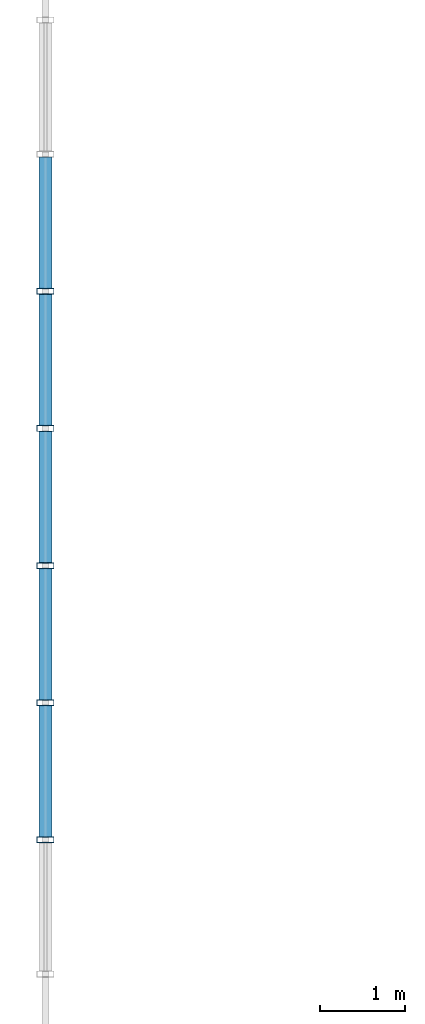
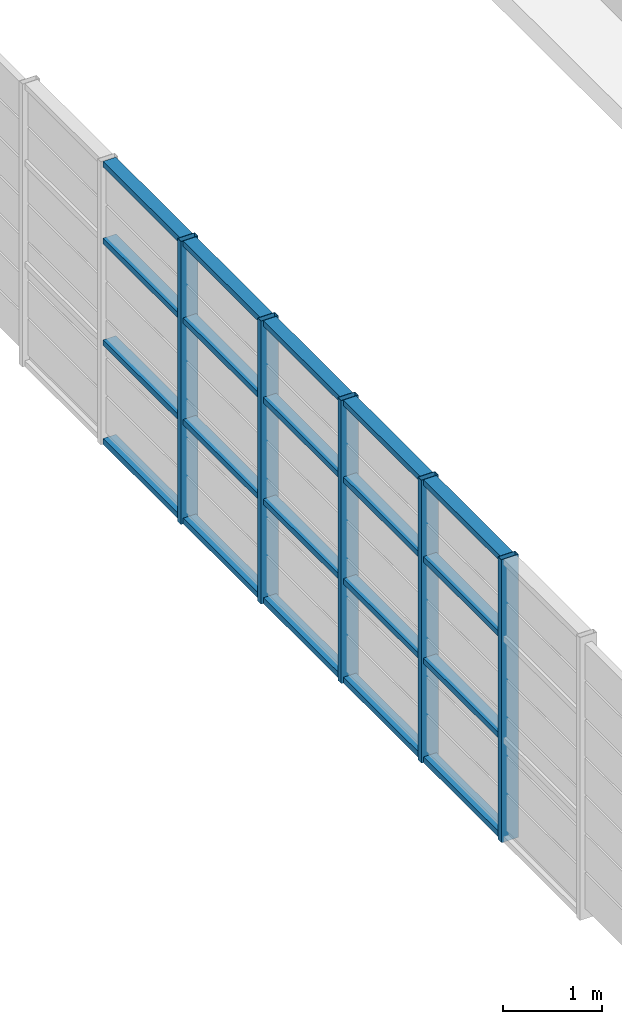
# One storey, part 7 of 21: 25 members, 1 element without a shape of its own.
"""IFC4 building model written with IfcOpenShell, lengths in metres."""

from ifc_helpers import new_model, si_unit, direction, frame, origin, origin_2d, place, context, subcontext, project, spatial, hollow_rectangle, extrude, source, transform, mapped, material, layer, layer_set, material_profile, profile_set, type_object, element, aggregate, save


model = new_model("IFC4")

# Units and contexts
model_context = context("Model", 3, precision=1e-05, world=origin(), true_north=direction((0.0, 1.0)))
body_context = subcontext(model_context, "Body", "Model", "MODEL_VIEW")
ifc_project = project(units=[si_unit("LENGTHUNIT", "METRE"), si_unit("AREAUNIT", "SQUARE_METRE"), si_unit("VOLUMEUNIT", "CUBIC_METRE"), si_unit("PLANEANGLEUNIT", "RADIAN"), si_unit("MASSUNIT", "GRAM", prefix="KILO")], contexts=[model_context])

# Site, building, storey
site_placement = place(None, origin())
site = spatial("IfcSite", under=ifc_project, at=site_placement, CompositionType="ELEMENT")
building_placement = place(site_placement, origin())
building = spatial("IfcBuilding", under=site, at=building_placement, Name="Saelheon Loggia Tower", CompositionType="ELEMENT")
storey_placement = place(building_placement, frame((0.0, 0.0, 259.800048828125)))
storey = spatial("IfcBuildingStorey", under=building, at=storey_placement, Name="CR3", CompositionType="ELEMENT", Elevation=259.800048828125)

# Curtain wall, members
ifc_material_1 = material(Name="Bronze-Anodised Aluminium and Fritted Ceramic Screen", Category="aluminium")
ifc_layer = layer(ifc_material_1, 0.219970703125)
ifc_layer_set = layer_set([ifc_layer], Name="Bronze-Anodised Aluminium and Fritted Ceramic Screen")
curtain_wall_type = type_object("IfcCurtainWallType", Name="CW_CrownScreen", PredefinedType="NOTDEFINED", material=ifc_layer_set)
curtain_wall_placement = place(storey_placement, origin())
curtain_wall = element("IfcCurtainWall", 1, at=curtain_wall_placement, inside=storey, type_object=curtain_wall_type, Name="CR3 Crown Central Screen Curtain Wall 9", PredefinedType="NOTDEFINED")
ifc_material_2 = material(Name="Bronze-Anodised Aluminium 6063-T6", Category="aluminium")
ifc_material_profile_1 = material_profile(ifc_material_2, hollow_rectangle(XDim=0.070068359375, YDim=0.199951171875, WallThickness=0.0048828125, at=origin_2d()), Name="RHS-200x70x5")
ifc_profile_set_1 = profile_set([ifc_material_profile_1], Name="Bronze-Anodised Aluminium 6063-T6")
member_type_1 = type_object("IfcMemberType", Name="CW_CrownScreen_Mullion", PredefinedType="MULLION", material=ifc_profile_set_1)
shared_shape_1 = source(origin(), body_context, "Body", "SweptSolid", [
    extrude(hollow_rectangle(XDim=0.070068359375, YDim=0.199951171875, WallThickness=0.0048828125, at=origin_2d()), origin(), (0.0, 0.0, 1.0), 3.47998046875),
])
member_1_placement = place(storey_placement, frame((23.35009765625, 22.96435546875, 0.0), z_axis=(0.0, 0.0, 1.0), x_axis=(0.0, 1.0, 0.0)))
member_1 = element("IfcMember", 2, at=member_1_placement, type_object=member_type_1, Name="CW6 mullion 2", PredefinedType="MULLION", context=body_context, shape_type="MappedRepresentation", body=[
    mapped(shared_shape_1, transform((0.0, 0.0, 0.0), scale=1.0)),
])
member_2_placement = place(storey_placement, frame((23.35009765625, 24.57861328125, 0.0), z_axis=(0.0, 0.0, 1.0), x_axis=(0.0, 1.0, 0.0)))
member_2 = element("IfcMember", 3, at=member_2_placement, type_object=member_type_1, Name="CW6 mullion 3", PredefinedType="MULLION", context=body_context, shape_type="MappedRepresentation", body=[
    mapped(shared_shape_1, transform((0.0, 0.0, 0.0), scale=1.0)),
])
member_3_placement = place(storey_placement, frame((23.35009765625, 26.19287109375, 0.0), z_axis=(0.0, 0.0, 1.0), x_axis=(0.0, 1.0, 0.0)))
member_3 = element("IfcMember", 4, at=member_3_placement, type_object=member_type_1, Name="CW6 mullion 4", PredefinedType="MULLION", context=body_context, shape_type="MappedRepresentation", body=[
    mapped(shared_shape_1, transform((0.0, 0.0, 0.0), scale=1.0)),
])
member_4_placement = place(storey_placement, frame((23.35009765625, 27.80712890625, 0.0), z_axis=(0.0, 0.0, 1.0), x_axis=(0.0, 1.0, 0.0)))
member_4 = element("IfcMember", 5, at=member_4_placement, type_object=member_type_1, Name="CW6 mullion 5", PredefinedType="MULLION", context=body_context, shape_type="MappedRepresentation", body=[
    mapped(shared_shape_1, transform((0.0, 0.0, 0.0), scale=1.0)),
])
member_5_placement = place(storey_placement, frame((23.35009765625, 29.42138671875, 0.0), z_axis=(0.0, 0.0, 1.0), x_axis=(0.0, 1.0, 0.0)))
member_5 = element("IfcMember", 6, at=member_5_placement, type_object=member_type_1, Name="CW6 mullion 6", PredefinedType="MULLION", context=body_context, shape_type="MappedRepresentation", body=[
    mapped(shared_shape_1, transform((0.0, 0.0, 0.0), scale=1.0)),
])
ifc_material_profile_2 = material_profile(ifc_material_2, hollow_rectangle(XDim=0.070068359375, YDim=0.14990234375, WallThickness=0.0048828125, at=origin_2d()), Name="RHS-150x70x5")
ifc_profile_set_2 = profile_set([ifc_material_profile_2], Name="Bronze-Anodised Aluminium 6063-T6")
member_type_2 = type_object("IfcMemberType", Name="CW_CrownScreen_Transom", PredefinedType="USERDEFINED", material=ifc_profile_set_2)
shared_shape_2 = source(origin(), body_context, "Body", "SweptSolid", [
    extrude(hollow_rectangle(XDim=0.070068359375, YDim=0.14990234375, WallThickness=0.0048828125, at=origin_2d()), origin(), (0.0, 0.0, 1.0), 1.544189453125),
])
member_6_placement = place(storey_placement, frame((23.35009765625, 22.999267578125, 0.034912109375), z_axis=(0.0, 1.0, 0.0), x_axis=(0.0, 0.0, 1.0)))
member_6 = element("IfcMember", 7, at=member_6_placement, type_object=member_type_2, Name="CW6 transom 2.1", ObjectType="TRANSOM", PredefinedType="USERDEFINED", context=body_context, shape_type="MappedRepresentation", body=[
    mapped(shared_shape_2, transform((0.0, 0.0, 0.0), scale=1.0)),
])
member_7_placement = place(storey_placement, frame((23.35009765625, 22.999267578125, 1.25), z_axis=(0.0, 1.0, 0.0), x_axis=(0.0, 0.0, 1.0)))
member_7 = element("IfcMember", 8, at=member_7_placement, type_object=member_type_2, Name="CW6 transom 2.2", ObjectType="TRANSOM", PredefinedType="USERDEFINED", context=body_context, shape_type="MappedRepresentation", body=[
    mapped(shared_shape_2, transform((0.0, 0.0, 0.0), scale=1.0)),
])
member_8_placement = place(storey_placement, frame((23.35009765625, 22.999267578125, 2.5), z_axis=(0.0, 1.0, 0.0), x_axis=(0.0, 0.0, 1.0)))
member_8 = element("IfcMember", 9, at=member_8_placement, type_object=member_type_2, Name="CW6 transom 2.3", ObjectType="TRANSOM", PredefinedType="USERDEFINED", context=body_context, shape_type="MappedRepresentation", body=[
    mapped(shared_shape_2, transform((0.0, 0.0, 0.0), scale=1.0)),
])
member_9_placement = place(storey_placement, frame((23.35009765625, 22.999267578125, 3.445068359375), z_axis=(0.0, 1.0, 0.0), x_axis=(0.0, 0.0, 1.0)))
member_9 = element("IfcMember", 10, at=member_9_placement, type_object=member_type_2, Name="CW6 transom 2.4", ObjectType="TRANSOM", PredefinedType="USERDEFINED", context=body_context, shape_type="MappedRepresentation", body=[
    mapped(shared_shape_2, transform((0.0, 0.0, 0.0), scale=1.0)),
])
member_10_placement = place(storey_placement, frame((23.35009765625, 29.45654296875, 0.034912109375), z_axis=(0.0, 1.0, 0.0), x_axis=(0.0, 0.0, 1.0)))
member_10 = element("IfcMember", 11, at=member_10_placement, type_object=member_type_2, Name="CW6 transom 6.1", ObjectType="TRANSOM", PredefinedType="USERDEFINED", context=body_context, shape_type="MappedRepresentation", body=[
    mapped(shared_shape_2, transform((0.0, 0.0, 0.0), scale=1.0)),
])
member_11_placement = place(storey_placement, frame((23.35009765625, 29.45654296875, 1.25), z_axis=(0.0, 1.0, 0.0), x_axis=(0.0, 0.0, 1.0)))
member_11 = element("IfcMember", 12, at=member_11_placement, type_object=member_type_2, Name="CW6 transom 6.2", ObjectType="TRANSOM", PredefinedType="USERDEFINED", context=body_context, shape_type="MappedRepresentation", body=[
    mapped(shared_shape_2, transform((0.0, 0.0, 0.0), scale=1.0)),
])
member_12_placement = place(storey_placement, frame((23.35009765625, 29.45654296875, 2.5), z_axis=(0.0, 1.0, 0.0), x_axis=(0.0, 0.0, 1.0)))
member_12 = element("IfcMember", 13, at=member_12_placement, type_object=member_type_2, Name="CW6 transom 6.3", ObjectType="TRANSOM", PredefinedType="USERDEFINED", context=body_context, shape_type="MappedRepresentation", body=[
    mapped(shared_shape_2, transform((0.0, 0.0, 0.0), scale=1.0)),
])
member_13_placement = place(storey_placement, frame((23.35009765625, 29.45654296875, 3.445068359375), z_axis=(0.0, 1.0, 0.0), x_axis=(0.0, 0.0, 1.0)))
member_13 = element("IfcMember", 14, at=member_13_placement, type_object=member_type_2, Name="CW6 transom 6.4", ObjectType="TRANSOM", PredefinedType="USERDEFINED", context=body_context, shape_type="MappedRepresentation", body=[
    mapped(shared_shape_2, transform((0.0, 0.0, 0.0), scale=1.0)),
])
shared_shape_3 = source(origin(), body_context, "Body", "SweptSolid", [
    extrude(hollow_rectangle(XDim=0.070068359375, YDim=0.14990234375, WallThickness=0.0048828125, at=origin_2d()), origin(), (0.0, 0.0, 1.0), 1.54443359375),
])
member_14_placement = place(storey_placement, frame((23.35009765625, 24.613525390625, 0.034912109375), z_axis=(0.0, 1.0, 0.0), x_axis=(0.0, 0.0, 1.0)))
member_14 = element("IfcMember", 15, at=member_14_placement, type_object=member_type_2, Name="CW6 transom 3.1", ObjectType="TRANSOM", PredefinedType="USERDEFINED", context=body_context, shape_type="MappedRepresentation", body=[
    mapped(shared_shape_3, transform((0.0, 0.0, 0.0), scale=1.0)),
])
member_15_placement = place(storey_placement, frame((23.35009765625, 24.613525390625, 1.25), z_axis=(0.0, 1.0, 0.0), x_axis=(0.0, 0.0, 1.0)))
member_15 = element("IfcMember", 16, at=member_15_placement, type_object=member_type_2, Name="CW6 transom 3.2", ObjectType="TRANSOM", PredefinedType="USERDEFINED", context=body_context, shape_type="MappedRepresentation", body=[
    mapped(shared_shape_3, transform((0.0, 0.0, 0.0), scale=1.0)),
])
member_16_placement = place(storey_placement, frame((23.35009765625, 24.613525390625, 2.5), z_axis=(0.0, 1.0, 0.0), x_axis=(0.0, 0.0, 1.0)))
member_16 = element("IfcMember", 17, at=member_16_placement, type_object=member_type_2, Name="CW6 transom 3.3", ObjectType="TRANSOM", PredefinedType="USERDEFINED", context=body_context, shape_type="MappedRepresentation", body=[
    mapped(shared_shape_3, transform((0.0, 0.0, 0.0), scale=1.0)),
])
member_17_placement = place(storey_placement, frame((23.35009765625, 24.613525390625, 3.445068359375), z_axis=(0.0, 1.0, 0.0), x_axis=(0.0, 0.0, 1.0)))
member_17 = element("IfcMember", 18, at=member_17_placement, type_object=member_type_2, Name="CW6 transom 3.4", ObjectType="TRANSOM", PredefinedType="USERDEFINED", context=body_context, shape_type="MappedRepresentation", body=[
    mapped(shared_shape_3, transform((0.0, 0.0, 0.0), scale=1.0)),
])
member_18_placement = place(storey_placement, frame((23.35009765625, 26.227783203125, 0.034912109375), z_axis=(0.0, 1.0, 0.0), x_axis=(0.0, 0.0, 1.0)))
member_18 = element("IfcMember", 19, at=member_18_placement, type_object=member_type_2, Name="CW6 transom 4.1", ObjectType="TRANSOM", PredefinedType="USERDEFINED", context=body_context, shape_type="MappedRepresentation", body=[
    mapped(shared_shape_3, transform((0.0, 0.0, 0.0), scale=1.0)),
])
member_19_placement = place(storey_placement, frame((23.35009765625, 26.227783203125, 1.25), z_axis=(0.0, 1.0, 0.0), x_axis=(0.0, 0.0, 1.0)))
member_19 = element("IfcMember", 20, at=member_19_placement, type_object=member_type_2, Name="CW6 transom 4.2", ObjectType="TRANSOM", PredefinedType="USERDEFINED", context=body_context, shape_type="MappedRepresentation", body=[
    mapped(shared_shape_3, transform((0.0, 0.0, 0.0), scale=1.0)),
])
member_20_placement = place(storey_placement, frame((23.35009765625, 26.227783203125, 2.5), z_axis=(0.0, 1.0, 0.0), x_axis=(0.0, 0.0, 1.0)))
member_20 = element("IfcMember", 21, at=member_20_placement, type_object=member_type_2, Name="CW6 transom 4.3", ObjectType="TRANSOM", PredefinedType="USERDEFINED", context=body_context, shape_type="MappedRepresentation", body=[
    mapped(shared_shape_3, transform((0.0, 0.0, 0.0), scale=1.0)),
])
member_21_placement = place(storey_placement, frame((23.35009765625, 26.227783203125, 3.445068359375), z_axis=(0.0, 1.0, 0.0), x_axis=(0.0, 0.0, 1.0)))
member_21 = element("IfcMember", 22, at=member_21_placement, type_object=member_type_2, Name="CW6 transom 4.4", ObjectType="TRANSOM", PredefinedType="USERDEFINED", context=body_context, shape_type="MappedRepresentation", body=[
    mapped(shared_shape_3, transform((0.0, 0.0, 0.0), scale=1.0)),
])
member_22_placement = place(storey_placement, frame((23.35009765625, 27.842041015625, 0.034912109375), z_axis=(0.0, 1.0, 0.0), x_axis=(0.0, 0.0, 1.0)))
member_22 = element("IfcMember", 23, at=member_22_placement, type_object=member_type_2, Name="CW6 transom 5.1", ObjectType="TRANSOM", PredefinedType="USERDEFINED", context=body_context, shape_type="MappedRepresentation", body=[
    mapped(shared_shape_3, transform((0.0, 0.0, 0.0), scale=1.0)),
])
member_23_placement = place(storey_placement, frame((23.35009765625, 27.842041015625, 1.25), z_axis=(0.0, 1.0, 0.0), x_axis=(0.0, 0.0, 1.0)))
member_23 = element("IfcMember", 24, at=member_23_placement, type_object=member_type_2, Name="CW6 transom 5.2", ObjectType="TRANSOM", PredefinedType="USERDEFINED", context=body_context, shape_type="MappedRepresentation", body=[
    mapped(shared_shape_3, transform((0.0, 0.0, 0.0), scale=1.0)),
])
member_24_placement = place(storey_placement, frame((23.35009765625, 27.842041015625, 2.5), z_axis=(0.0, 1.0, 0.0), x_axis=(0.0, 0.0, 1.0)))
member_24 = element("IfcMember", 25, at=member_24_placement, type_object=member_type_2, Name="CW6 transom 5.3", ObjectType="TRANSOM", PredefinedType="USERDEFINED", context=body_context, shape_type="MappedRepresentation", body=[
    mapped(shared_shape_3, transform((0.0, 0.0, 0.0), scale=1.0)),
])
member_25_placement = place(storey_placement, frame((23.35009765625, 27.842041015625, 3.445068359375), z_axis=(0.0, 1.0, 0.0), x_axis=(0.0, 0.0, 1.0)))
member_25 = element("IfcMember", 26, at=member_25_placement, type_object=member_type_2, Name="CW6 transom 5.4", ObjectType="TRANSOM", PredefinedType="USERDEFINED", context=body_context, shape_type="MappedRepresentation", body=[
    mapped(shared_shape_3, transform((0.0, 0.0, 0.0), scale=1.0)),
])
aggregate(curtain_wall, [member_1, member_2, member_3, member_4, member_5, member_6, member_7, member_8, member_9, member_14, member_15, member_16, member_17, member_18, member_19, member_20, member_21, member_22, member_23, member_24, member_25, member_10, member_11, member_12, member_13])

save(model, "model.ifc")
